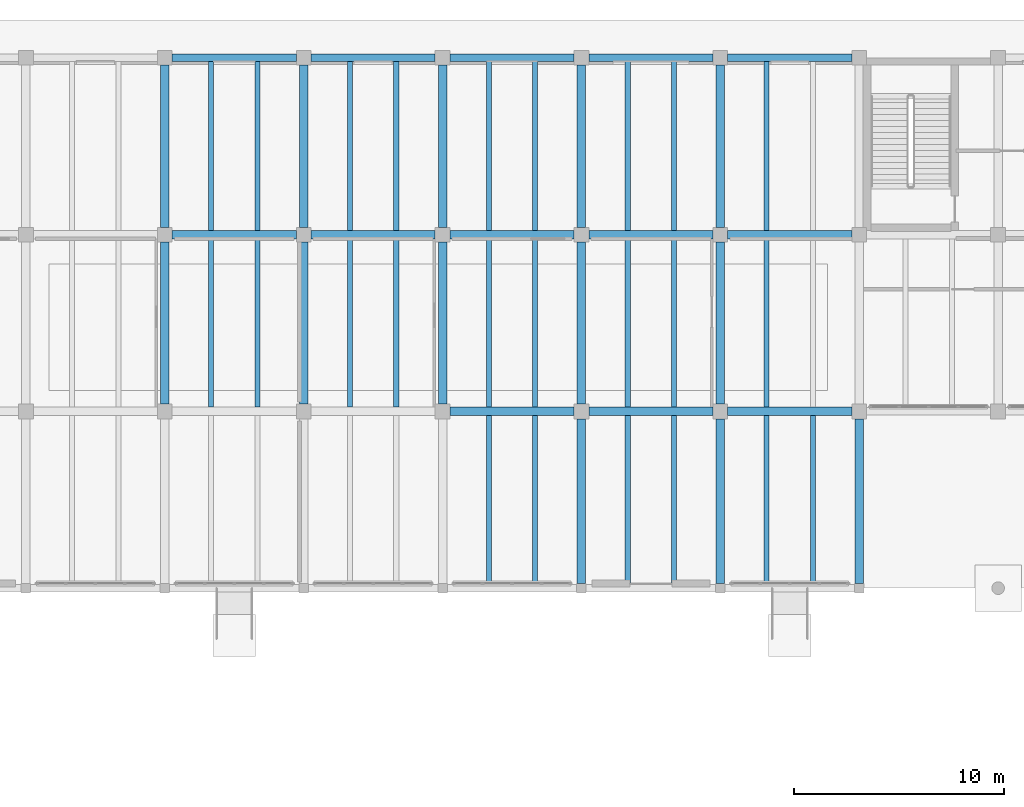
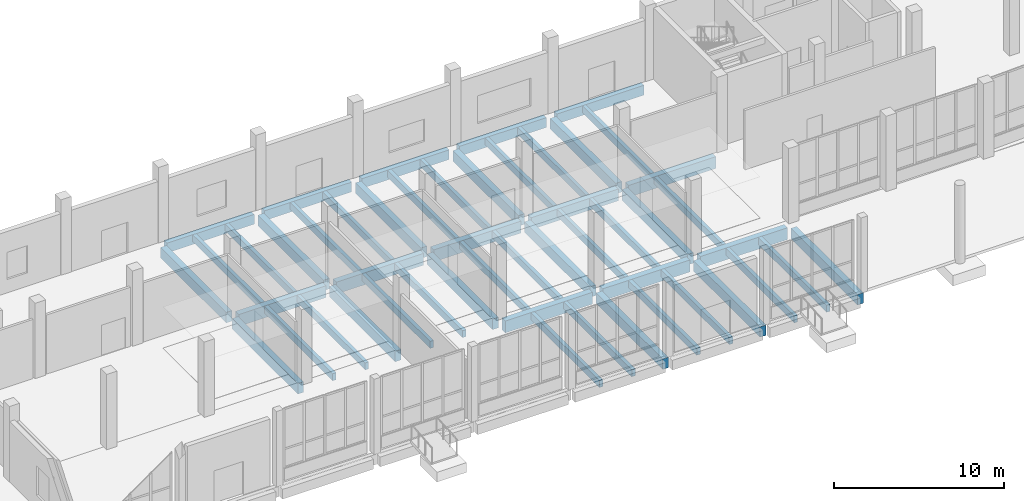
# One storey, part 13 of 64: 50 beams.
"""IFC4 building model written with IfcOpenShell, lengths in metres."""

from ifc_helpers import new_model, si_unit, direction, frame, origin, origin_2d, place, context, subcontext, project, spatial, rectangle, extrude, material, material_profile, profile_set, type_object, element, save


model = new_model("IFC4")

# Units and contexts
model_context = context("Model", 3, precision=1e-05, world=origin(), true_north=direction((0.0, 1.0)))
body_context = subcontext(model_context, "Body", "Model", "MODEL_VIEW")
ifc_project = project(units=[si_unit("LENGTHUNIT", "METRE"), si_unit("AREAUNIT", "SQUARE_METRE"), si_unit("VOLUMEUNIT", "CUBIC_METRE"), si_unit("PLANEANGLEUNIT", "RADIAN"), si_unit("MASSUNIT", "GRAM", prefix="KILO")], contexts=[model_context])

# Site, building, storey
site_placement = place(None, origin())
site = spatial("IfcSite", under=ifc_project, at=site_placement, CompositionType="ELEMENT")
building_placement = place(site_placement, origin())
building = spatial("IfcBuilding", under=site, at=building_placement, Name="Qaldarim Faculty of Natural and Applied Sciences", CompositionType="ELEMENT")
storey_placement = place(building_placement, origin())
storey = spatial("IfcBuildingStorey", under=building, at=storey_placement, Name="L00", CompositionType="ELEMENT", Elevation=0.0)

# Beams
ifc_material_1 = material(Name="Concrete C40/50", Category="concrete")
ifc_material_profile_1 = material_profile(ifc_material_1, rectangle(XDim=0.239990234375, YDim=0.5, at=origin_2d()), Name="RC-J240x500")
ifc_profile_set_1 = profile_set([ifc_material_profile_1], Name="Concrete C40/50")
beam_type_1 = type_object("IfcBeamType", Name="HeavyJoist-RC240x500", PredefinedType="JOIST", material=ifc_profile_set_1)
for number, where, z_axis, x_axis, name in (
    (1, (68.199951171875, 101.0, -0.610107421875), (0.0, 1.0, 0.0), (-1.0, 0.0, 0.0), "Laboratory joist B01 bay X11Y13-1"),
    (2, (70.39990234375, 101.0, -0.610107421875), (0.0, 1.0, 0.0), (-1.0, 0.0, 0.0), "Laboratory joist B01 bay X11Y13-2"),
):
    element("IfcBeam", number, at=place(storey_placement, frame(where, z_axis=z_axis, x_axis=x_axis)), inside=storey, type_object=beam_type_1, Name=name, PredefinedType="JOIST", context=body_context, shape_type="SweptSolid", body=[
        extrude(rectangle(XDim=0.239990234375, YDim=0.5, at=origin_2d()), origin(), (0.0, 0.0, 1.0), 8.0),
    ])
for number, where, z_axis, x_axis, name in (
    (3, (68.199951171875, 109.39990234375, -0.610107421875), (0.0, 1.0, 0.0), (-1.0, 0.0, 0.0), "Laboratory joist B01 bay X11Y14-1"),
    (4, (70.39990234375, 109.39990234375, -0.610107421875), (0.0, 1.0, 0.0), (-1.0, 0.0, 0.0), "Laboratory joist B01 bay X11Y14-2"),
):
    element("IfcBeam", number, at=place(storey_placement, frame(where, z_axis=z_axis, x_axis=x_axis)), inside=storey, type_object=beam_type_1, Name=name, PredefinedType="JOIST", context=body_context, shape_type="SweptSolid", body=[
        extrude(rectangle(XDim=0.239990234375, YDim=0.5, at=origin_2d()), origin(), (0.0, 0.0, 1.0), 8.025146484375),
    ])
for number, where, z_axis, x_axis, name in (
    (5, (74.800048828125, 101.0, -0.610107421875), (0.0, 1.0, 0.0), (-1.0, 0.0, 0.0), "Laboratory joist B01 bay X12Y13-1"),
    (6, (77.0, 101.0, -0.610107421875), (0.0, 1.0, 0.0), (-1.0, 0.0, 0.0), "Laboratory joist B01 bay X12Y13-2"),
):
    element("IfcBeam", number, at=place(storey_placement, frame(where, z_axis=z_axis, x_axis=x_axis)), inside=storey, type_object=beam_type_1, Name=name, PredefinedType="JOIST", context=body_context, shape_type="SweptSolid", body=[
        extrude(rectangle(XDim=0.239990234375, YDim=0.5, at=origin_2d()), origin(), (0.0, 0.0, 1.0), 8.0),
    ])
for number, where, z_axis, x_axis, name in (
    (7, (74.800048828125, 109.39990234375, -0.610107421875), (0.0, 1.0, 0.0), (-1.0, 0.0, 0.0), "Laboratory joist B01 bay X12Y14-1"),
    (8, (77.0, 109.39990234375, -0.610107421875), (0.0, 1.0, 0.0), (-1.0, 0.0, 0.0), "Laboratory joist B01 bay X12Y14-2"),
    (9, (81.39990234375, 92.574951171875, -0.610107421875), (0.0, 1.0, 0.0), (-1.0, 0.0, 0.0), "Laboratory joist B01 bay X13Y12-1"),
    (10, (83.60009765625, 92.574951171875, -0.610107421875), (0.0, 1.0, 0.0), (-1.0, 0.0, 0.0), "Laboratory joist B01 bay X13Y12-2"),
):
    element("IfcBeam", number, at=place(storey_placement, frame(where, z_axis=z_axis, x_axis=x_axis)), inside=storey, type_object=beam_type_1, Name=name, PredefinedType="JOIST", context=body_context, shape_type="SweptSolid", body=[
        extrude(rectangle(XDim=0.239990234375, YDim=0.5, at=origin_2d()), origin(), (0.0, 0.0, 1.0), 8.025146484375),
    ])
for number, where, z_axis, x_axis, name in (
    (11, (81.39990234375, 101.0, -0.610107421875), (0.0, 1.0, 0.0), (-1.0, 0.0, 0.0), "Laboratory joist B01 bay X13Y13-1"),
    (12, (83.60009765625, 101.0, -0.610107421875), (0.0, 1.0, 0.0), (-1.0, 0.0, 0.0), "Laboratory joist B01 bay X13Y13-2"),
):
    element("IfcBeam", number, at=place(storey_placement, frame(where, z_axis=z_axis, x_axis=x_axis)), inside=storey, type_object=beam_type_1, Name=name, PredefinedType="JOIST", context=body_context, shape_type="SweptSolid", body=[
        extrude(rectangle(XDim=0.239990234375, YDim=0.5, at=origin_2d()), origin(), (0.0, 0.0, 1.0), 8.0),
    ])
for number, where, z_axis, x_axis, name in (
    (13, (81.39990234375, 109.39990234375, -0.610107421875), (0.0, 1.0, 0.0), (-1.0, 0.0, 0.0), "Laboratory joist B01 bay X13Y14-1"),
    (14, (83.60009765625, 109.39990234375, -0.610107421875), (0.0, 1.0, 0.0), (-1.0, 0.0, 0.0), "Laboratory joist B01 bay X13Y14-2"),
    (15, (88.0, 92.574951171875, -0.610107421875), (0.0, 1.0, 0.0), (-1.0, 0.0, 0.0), "Laboratory joist B01 bay X14Y12-1"),
    (16, (90.199951171875, 92.574951171875, -0.610107421875), (0.0, 1.0, 0.0), (-1.0, 0.0, 0.0), "Laboratory joist B01 bay X14Y12-2"),
):
    element("IfcBeam", number, at=place(storey_placement, frame(where, z_axis=z_axis, x_axis=x_axis)), inside=storey, type_object=beam_type_1, Name=name, PredefinedType="JOIST", context=body_context, shape_type="SweptSolid", body=[
        extrude(rectangle(XDim=0.239990234375, YDim=0.5, at=origin_2d()), origin(), (0.0, 0.0, 1.0), 8.025146484375),
    ])
for number, where, z_axis, x_axis, name in (
    (17, (88.0, 101.0, -0.610107421875), (0.0, 1.0, 0.0), (-1.0, 0.0, 0.0), "Laboratory joist B01 bay X14Y13-1"),
    (18, (90.199951171875, 101.0, -0.610107421875), (0.0, 1.0, 0.0), (-1.0, 0.0, 0.0), "Laboratory joist B01 bay X14Y13-2"),
):
    element("IfcBeam", number, at=place(storey_placement, frame(where, z_axis=z_axis, x_axis=x_axis)), inside=storey, type_object=beam_type_1, Name=name, PredefinedType="JOIST", context=body_context, shape_type="SweptSolid", body=[
        extrude(rectangle(XDim=0.239990234375, YDim=0.5, at=origin_2d()), origin(), (0.0, 0.0, 1.0), 8.0),
    ])
for number, where, z_axis, x_axis, name in (
    (19, (88.0, 109.39990234375, -0.610107421875), (0.0, 1.0, 0.0), (-1.0, 0.0, 0.0), "Laboratory joist B01 bay X14Y14-1"),
    (20, (90.199951171875, 109.39990234375, -0.610107421875), (0.0, 1.0, 0.0), (-1.0, 0.0, 0.0), "Laboratory joist B01 bay X14Y14-2"),
    (21, (94.60009765625, 92.574951171875, -0.610107421875), (0.0, 1.0, 0.0), (-1.0, 0.0, 0.0), "Laboratory joist B01 bay X15Y12-1"),
    (22, (96.800048828125, 92.574951171875, -0.610107421875), (0.0, 1.0, 0.0), (-1.0, 0.0, 0.0), "Laboratory joist B01 bay X15Y12-2"),
):
    element("IfcBeam", number, at=place(storey_placement, frame(where, z_axis=z_axis, x_axis=x_axis)), inside=storey, type_object=beam_type_1, Name=name, PredefinedType="JOIST", context=body_context, shape_type="SweptSolid", body=[
        extrude(rectangle(XDim=0.239990234375, YDim=0.5, at=origin_2d()), origin(), (0.0, 0.0, 1.0), 8.025146484375),
    ])
beam_1_placement = place(storey_placement, frame((94.60009765625, 101.0, -0.610107421875), z_axis=(0.0, 1.0, 0.0), x_axis=(-1.0, 0.0, 0.0)))
element("IfcBeam", 23, at=beam_1_placement, inside=storey, type_object=beam_type_1, Name="Laboratory joist B01 bay X15Y13-1", PredefinedType="JOIST", context=body_context, shape_type="SweptSolid", body=[
    extrude(rectangle(XDim=0.239990234375, YDim=0.5, at=origin_2d()), origin(), (0.0, 0.0, 1.0), 8.0),
])
beam_2_placement = place(storey_placement, frame((94.60009765625, 109.39990234375, -0.610107421875), z_axis=(0.0, 1.0, 0.0), x_axis=(-1.0, 0.0, 0.0)))
element("IfcBeam", 24, at=beam_2_placement, inside=storey, type_object=beam_type_1, Name="Laboratory joist B01 bay X15Y14-1", PredefinedType="JOIST", context=body_context, shape_type="SweptSolid", body=[
    extrude(rectangle(XDim=0.239990234375, YDim=0.5, at=origin_2d()), origin(), (0.0, 0.0, 1.0), 8.025146484375),
])
ifc_material_2 = material(Name="Concrete C50/60", Category="concrete")
ifc_material_profile_2 = material_profile(ifc_material_2, rectangle(XDim=0.39990234375, YDim=0.75, at=origin_2d()), Name="RC-B400x750")
ifc_profile_set_2 = profile_set([ifc_material_profile_2], Name="Concrete C50/60")
beam_type_2 = type_object("IfcBeamType", Name="LabGirder-RC400x750", PredefinedType="BEAM", material=ifc_profile_set_2)
beam_3_placement = place(storey_placement, frame((66.0, 101.14990234375, -0.735107421875), z_axis=(0.0, 1.0, 0.0), x_axis=(-1.0, 0.0, 0.0)))
element("IfcBeam", 25, at=beam_3_placement, inside=storey, type_object=beam_type_2, Name="Beam RC-B400x750 B01 X11/Y13-Y14", PredefinedType="BEAM", context=body_context, shape_type="SweptSolid", body=[
    extrude(rectangle(XDim=0.39990234375, YDim=0.75, at=origin_2d()), origin(), (0.0, 0.0, 1.0), 7.7001953125),
])
beam_4_placement = place(storey_placement, frame((66.0, 109.550048828125, -0.735107421875), z_axis=(0.0, 1.0, 0.0), x_axis=(-1.0, 0.0, 0.0)))
element("IfcBeam", 26, at=beam_4_placement, inside=storey, type_object=beam_type_2, Name="Beam RC-B400x750 B01 X11/Y14-Y15", PredefinedType="BEAM", context=body_context, shape_type="SweptSolid", body=[
    extrude(rectangle(XDim=0.39990234375, YDim=0.75, at=origin_2d()), origin(), (0.0, 0.0, 1.0), 7.699951171875),
])
beam_5_placement = place(storey_placement, frame((72.60009765625, 101.14990234375, -0.735107421875), z_axis=(0.0, 1.0, 0.0), x_axis=(-1.0, 0.0, 0.0)))
element("IfcBeam", 27, at=beam_5_placement, inside=storey, type_object=beam_type_2, Name="Beam RC-B400x750 B01 X12/Y13-Y14", PredefinedType="BEAM", context=body_context, shape_type="SweptSolid", body=[
    extrude(rectangle(XDim=0.39990234375, YDim=0.75, at=origin_2d()), origin(), (0.0, 0.0, 1.0), 7.7001953125),
])
beam_6_placement = place(storey_placement, frame((72.60009765625, 109.550048828125, -0.735107421875), z_axis=(0.0, 1.0, 0.0), x_axis=(-1.0, 0.0, 0.0)))
element("IfcBeam", 28, at=beam_6_placement, inside=storey, type_object=beam_type_2, Name="Beam RC-B400x750 B01 X12/Y14-Y15", PredefinedType="BEAM", context=body_context, shape_type="SweptSolid", body=[
    extrude(rectangle(XDim=0.39990234375, YDim=0.75, at=origin_2d()), origin(), (0.0, 0.0, 1.0), 7.699951171875),
])
beam_7_placement = place(storey_placement, frame((79.199951171875, 101.14990234375, -0.735107421875), z_axis=(0.0, 1.0, 0.0), x_axis=(-1.0, 0.0, 0.0)))
element("IfcBeam", 29, at=beam_7_placement, inside=storey, type_object=beam_type_2, Name="Beam RC-B400x750 B01 X13/Y13-Y14", PredefinedType="BEAM", context=body_context, shape_type="SweptSolid", body=[
    extrude(rectangle(XDim=0.39990234375, YDim=0.75, at=origin_2d()), origin(), (0.0, 0.0, 1.0), 7.7001953125),
])
beam_8_placement = place(storey_placement, frame((79.199951171875, 109.550048828125, -0.735107421875), z_axis=(0.0, 1.0, 0.0), x_axis=(-1.0, 0.0, 0.0)))
element("IfcBeam", 30, at=beam_8_placement, inside=storey, type_object=beam_type_2, Name="Beam RC-B400x750 B01 X13/Y14-Y15", PredefinedType="BEAM", context=body_context, shape_type="SweptSolid", body=[
    extrude(rectangle(XDim=0.39990234375, YDim=0.75, at=origin_2d()), origin(), (0.0, 0.0, 1.0), 7.699951171875),
])
beam_9_placement = place(storey_placement, frame((85.800048828125, 92.625, -0.735107421875), z_axis=(0.0, 1.0, 0.0), x_axis=(-1.0, 0.0, 0.0)))
element("IfcBeam", 31, at=beam_9_placement, inside=storey, type_object=beam_type_2, Name="Beam RC-B400x750 B01 X14/Y12-Y13", PredefinedType="BEAM", context=body_context, shape_type="SweptSolid", body=[
    extrude(rectangle(XDim=0.39990234375, YDim=0.75, at=origin_2d()), origin(), (0.0, 0.0, 1.0), 7.824951171875),
])
beam_10_placement = place(storey_placement, frame((85.800048828125, 101.14990234375, -0.735107421875), z_axis=(0.0, 1.0, 0.0), x_axis=(-1.0, 0.0, 0.0)))
element("IfcBeam", 32, at=beam_10_placement, inside=storey, type_object=beam_type_2, Name="Beam RC-B400x750 B01 X14/Y13-Y14", PredefinedType="BEAM", context=body_context, shape_type="SweptSolid", body=[
    extrude(rectangle(XDim=0.39990234375, YDim=0.75, at=origin_2d()), origin(), (0.0, 0.0, 1.0), 7.7001953125),
])
beam_11_placement = place(storey_placement, frame((85.800048828125, 109.550048828125, -0.735107421875), z_axis=(0.0, 1.0, 0.0), x_axis=(-1.0, 0.0, 0.0)))
element("IfcBeam", 33, at=beam_11_placement, inside=storey, type_object=beam_type_2, Name="Beam RC-B400x750 B01 X14/Y14-Y15", PredefinedType="BEAM", context=body_context, shape_type="SweptSolid", body=[
    extrude(rectangle(XDim=0.39990234375, YDim=0.75, at=origin_2d()), origin(), (0.0, 0.0, 1.0), 7.699951171875),
])
beam_12_placement = place(storey_placement, frame((92.39990234375, 92.625, -0.735107421875), z_axis=(0.0, 1.0, 0.0), x_axis=(-1.0, 0.0, 0.0)))
element("IfcBeam", 34, at=beam_12_placement, inside=storey, type_object=beam_type_2, Name="Beam RC-B400x750 B01 X15/Y12-Y13", PredefinedType="BEAM", context=body_context, shape_type="SweptSolid", body=[
    extrude(rectangle(XDim=0.39990234375, YDim=0.75, at=origin_2d()), origin(), (0.0, 0.0, 1.0), 7.824951171875),
])
beam_13_placement = place(storey_placement, frame((92.39990234375, 101.14990234375, -0.735107421875), z_axis=(0.0, 1.0, 0.0), x_axis=(-1.0, 0.0, 0.0)))
element("IfcBeam", 35, at=beam_13_placement, inside=storey, type_object=beam_type_2, Name="Beam RC-B400x750 B01 X15/Y13-Y14", PredefinedType="BEAM", context=body_context, shape_type="SweptSolid", body=[
    extrude(rectangle(XDim=0.39990234375, YDim=0.75, at=origin_2d()), origin(), (0.0, 0.0, 1.0), 7.7001953125),
])
beam_14_placement = place(storey_placement, frame((92.39990234375, 109.550048828125, -0.735107421875), z_axis=(0.0, 1.0, 0.0), x_axis=(-1.0, 0.0, 0.0)))
element("IfcBeam", 36, at=beam_14_placement, inside=storey, type_object=beam_type_2, Name="Beam RC-B400x750 B01 X15/Y14-Y15", PredefinedType="BEAM", context=body_context, shape_type="SweptSolid", body=[
    extrude(rectangle(XDim=0.39990234375, YDim=0.75, at=origin_2d()), origin(), (0.0, 0.0, 1.0), 7.699951171875),
])
beam_15_placement = place(storey_placement, frame((99.0, 92.625, -0.735107421875), z_axis=(0.0, 1.0, 0.0), x_axis=(-1.0, 0.0, 0.0)))
element("IfcBeam", 37, at=beam_15_placement, inside=storey, type_object=beam_type_2, Name="Beam RC-B400x750 B01 X16/Y12-Y13", PredefinedType="BEAM", context=body_context, shape_type="SweptSolid", body=[
    extrude(rectangle(XDim=0.39990234375, YDim=0.75, at=origin_2d()), origin(), (0.0, 0.0, 1.0), 7.824951171875),
])
ifc_material_profile_3 = material_profile(ifc_material_2, rectangle(XDim=0.39990234375, YDim=0.85009765625, at=origin_2d()), Name="RC-B400x850")
ifc_profile_set_3 = profile_set([ifc_material_profile_3], Name="Concrete C50/60")
beam_type_3 = type_object("IfcBeamType", Name="PodiumGirder-RC400x850", PredefinedType="BEAM", material=ifc_profile_set_3)
beam_16_placement = place(storey_placement, frame((79.550048828125, 100.800048828125, -0.784912109375), z_axis=(1.0, 0.0, 0.0), x_axis=(0.0, 1.0, 0.0)))
element("IfcBeam", 38, at=beam_16_placement, inside=storey, type_object=beam_type_3, Name="Beam RC-B400x850 B01 X13-X14/Y13", PredefinedType="BEAM", context=body_context, shape_type="SweptSolid", body=[
    extrude(rectangle(XDim=0.39990234375, YDim=0.85009765625, at=origin_2d()), origin(), (0.0, 0.0, 1.0), 5.89990234375),
])
beam_17_placement = place(storey_placement, frame((86.14990234375, 100.800048828125, -0.784912109375), z_axis=(1.0, 0.0, 0.0), x_axis=(0.0, 1.0, 0.0)))
element("IfcBeam", 39, at=beam_17_placement, inside=storey, type_object=beam_type_3, Name="Beam RC-B400x850 B01 X14-X15/Y13", PredefinedType="BEAM", context=body_context, shape_type="SweptSolid", body=[
    extrude(rectangle(XDim=0.39990234375, YDim=0.85009765625, at=origin_2d()), origin(), (0.0, 0.0, 1.0), 5.900146484375),
])
for number, where, z_axis, x_axis, name in (
    (40, (92.75, 100.800048828125, -0.784912109375), (1.0, 0.0, 0.0), (0.0, 1.0, 0.0), "Beam RC-B400x850 B01 X15-X16/Y13"),
    (41, (66.35009765625, 109.199951171875, -0.784912109375), (1.0, 0.0, 0.0), (0.0, 1.0, 0.0), "Beam RC-B400x850 B01 X11-X12/Y14"),
):
    element("IfcBeam", number, at=place(storey_placement, frame(where, z_axis=z_axis, x_axis=x_axis)), inside=storey, type_object=beam_type_3, Name=name, PredefinedType="BEAM", context=body_context, shape_type="SweptSolid", body=[
        extrude(rectangle(XDim=0.39990234375, YDim=0.85009765625, at=origin_2d()), origin(), (0.0, 0.0, 1.0), 5.89990234375),
    ])
beam_18_placement = place(storey_placement, frame((72.949951171875, 109.199951171875, -0.784912109375), z_axis=(1.0, 0.0, 0.0), x_axis=(0.0, 1.0, 0.0)))
element("IfcBeam", 42, at=beam_18_placement, inside=storey, type_object=beam_type_3, Name="Beam RC-B400x850 B01 X12-X13/Y14", PredefinedType="BEAM", context=body_context, shape_type="SweptSolid", body=[
    extrude(rectangle(XDim=0.39990234375, YDim=0.85009765625, at=origin_2d()), origin(), (0.0, 0.0, 1.0), 5.900146484375),
])
beam_19_placement = place(storey_placement, frame((79.550048828125, 109.199951171875, -0.784912109375), z_axis=(1.0, 0.0, 0.0), x_axis=(0.0, 1.0, 0.0)))
element("IfcBeam", 43, at=beam_19_placement, inside=storey, type_object=beam_type_3, Name="Beam RC-B400x850 B01 X13-X14/Y14", PredefinedType="BEAM", context=body_context, shape_type="SweptSolid", body=[
    extrude(rectangle(XDim=0.39990234375, YDim=0.85009765625, at=origin_2d()), origin(), (0.0, 0.0, 1.0), 5.89990234375),
])
beam_20_placement = place(storey_placement, frame((86.14990234375, 109.199951171875, -0.784912109375), z_axis=(1.0, 0.0, 0.0), x_axis=(0.0, 1.0, 0.0)))
element("IfcBeam", 44, at=beam_20_placement, inside=storey, type_object=beam_type_3, Name="Beam RC-B400x850 B01 X14-X15/Y14", PredefinedType="BEAM", context=body_context, shape_type="SweptSolid", body=[
    extrude(rectangle(XDim=0.39990234375, YDim=0.85009765625, at=origin_2d()), origin(), (0.0, 0.0, 1.0), 5.900146484375),
])
beam_21_placement = place(storey_placement, frame((92.75, 109.199951171875, -0.784912109375), z_axis=(1.0, 0.0, 0.0), x_axis=(0.0, 1.0, 0.0)))
element("IfcBeam", 45, at=beam_21_placement, inside=storey, type_object=beam_type_3, Name="Beam RC-B400x850 B01 X15-X16/Y14", PredefinedType="BEAM", context=body_context, shape_type="SweptSolid", body=[
    extrude(rectangle(XDim=0.39990234375, YDim=0.85009765625, at=origin_2d()), origin(), (0.0, 0.0, 1.0), 5.89990234375),
])
ifc_material_profile_4 = material_profile(ifc_material_1, rectangle(XDim=0.35009765625, YDim=0.699951171875, at=origin_2d()), Name="RC-B350x700")
ifc_profile_set_4 = profile_set([ifc_material_profile_4], Name="Concrete C40/50")
beam_type_4 = type_object("IfcBeamType", Name="PrimaryGirder-RC350x700", PredefinedType="BEAM", material=ifc_profile_set_4)
beam_22_placement = place(storey_placement, frame((66.35009765625, 117.60009765625, -0.7099609375), z_axis=(1.0, 0.0, 0.0), x_axis=(0.0, 1.0, 0.0)))
element("IfcBeam", 46, at=beam_22_placement, inside=storey, type_object=beam_type_4, Name="Beam RC-B350x700 B01 X11-X12/Y15", PredefinedType="BEAM", context=body_context, shape_type="SweptSolid", body=[
    extrude(rectangle(XDim=0.35009765625, YDim=0.699951171875, at=origin_2d()), origin(), (0.0, 0.0, 1.0), 5.89990234375),
])
beam_23_placement = place(storey_placement, frame((72.949951171875, 117.60009765625, -0.7099609375), z_axis=(1.0, 0.0, 0.0), x_axis=(0.0, 1.0, 0.0)))
element("IfcBeam", 47, at=beam_23_placement, inside=storey, type_object=beam_type_4, Name="Beam RC-B350x700 B01 X12-X13/Y15", PredefinedType="BEAM", context=body_context, shape_type="SweptSolid", body=[
    extrude(rectangle(XDim=0.35009765625, YDim=0.699951171875, at=origin_2d()), origin(), (0.0, 0.0, 1.0), 5.900146484375),
])
beam_24_placement = place(storey_placement, frame((79.550048828125, 117.60009765625, -0.7099609375), z_axis=(1.0, 0.0, 0.0), x_axis=(0.0, 1.0, 0.0)))
element("IfcBeam", 48, at=beam_24_placement, inside=storey, type_object=beam_type_4, Name="Beam RC-B350x700 B01 X13-X14/Y15", PredefinedType="BEAM", context=body_context, shape_type="SweptSolid", body=[
    extrude(rectangle(XDim=0.35009765625, YDim=0.699951171875, at=origin_2d()), origin(), (0.0, 0.0, 1.0), 5.89990234375),
])
beam_25_placement = place(storey_placement, frame((86.14990234375, 117.60009765625, -0.7099609375), z_axis=(1.0, 0.0, 0.0), x_axis=(0.0, 1.0, 0.0)))
element("IfcBeam", 49, at=beam_25_placement, inside=storey, type_object=beam_type_4, Name="Beam RC-B350x700 B01 X14-X15/Y15", PredefinedType="BEAM", context=body_context, shape_type="SweptSolid", body=[
    extrude(rectangle(XDim=0.35009765625, YDim=0.699951171875, at=origin_2d()), origin(), (0.0, 0.0, 1.0), 5.900146484375),
])
beam_26_placement = place(storey_placement, frame((92.75, 117.60009765625, -0.7099609375), z_axis=(1.0, 0.0, 0.0), x_axis=(0.0, 1.0, 0.0)))
element("IfcBeam", 50, at=beam_26_placement, inside=storey, type_object=beam_type_4, Name="Beam RC-B350x700 B01 X15-X16/Y15", PredefinedType="BEAM", context=body_context, shape_type="SweptSolid", body=[
    extrude(rectangle(XDim=0.35009765625, YDim=0.699951171875, at=origin_2d()), origin(), (0.0, 0.0, 1.0), 5.89990234375),
])

save(model, "model.ifc")
